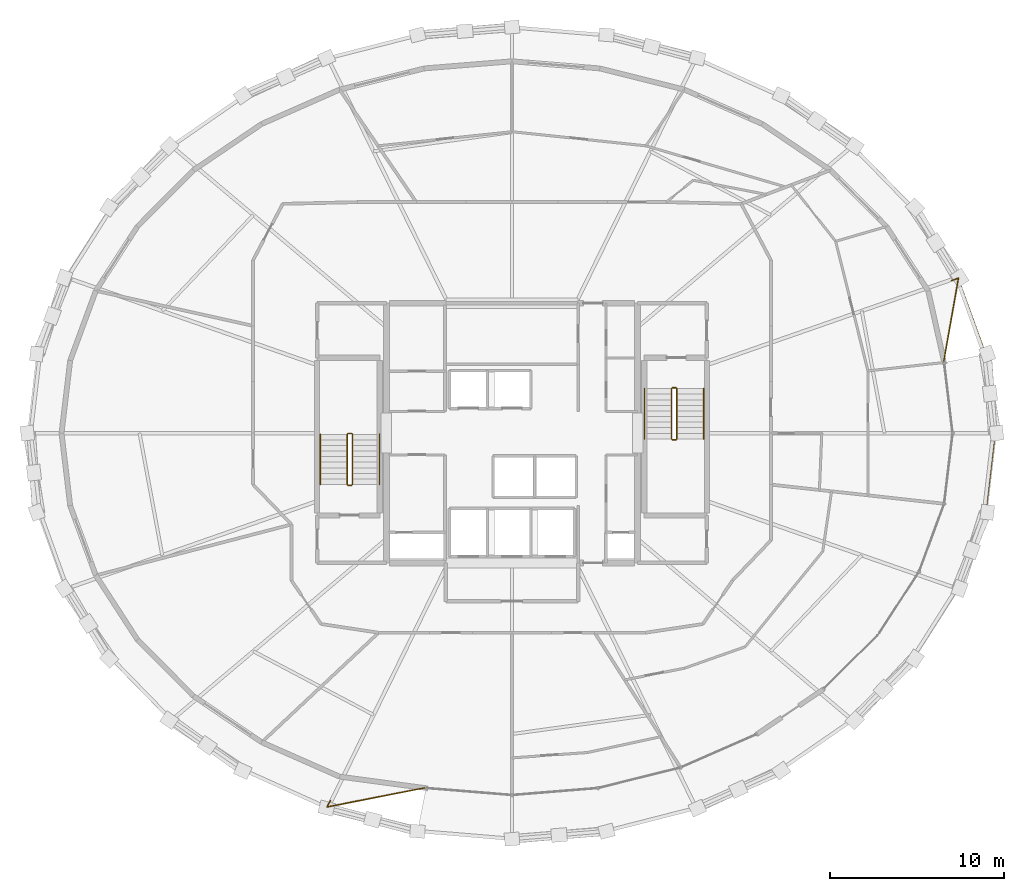
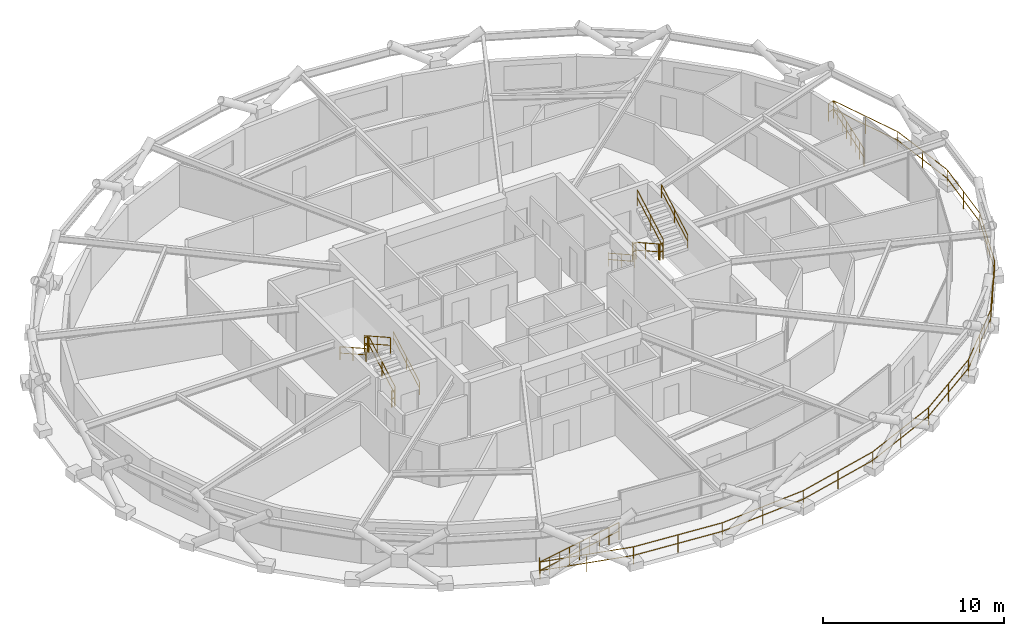
# One storey, part 17 of 17: 15 railings.
"""IFC4 building model written with IfcOpenShell, lengths in metres."""

from ifc_helpers import new_model, si_unit, direction, frame, origin, origin_2d, place, context, subcontext, project, spatial, circle, extrude, material, type_object, element, save


model = new_model("IFC4")

# Units and contexts
model_context = context("Model", 3, precision=1e-05, world=origin(), true_north=direction((0.0, 1.0)))
body_context = subcontext(model_context, "Body", "Model", "MODEL_VIEW")
ifc_project = project(units=[si_unit("LENGTHUNIT", "METRE"), si_unit("AREAUNIT", "SQUARE_METRE"), si_unit("VOLUMEUNIT", "CUBIC_METRE"), si_unit("PLANEANGLEUNIT", "RADIAN"), si_unit("MASSUNIT", "GRAM", prefix="KILO")], contexts=[model_context])

# Site, building, storey
site_placement = place(None, origin())
site = spatial("IfcSite", under=ifc_project, at=site_placement, CompositionType="ELEMENT")
building_placement = place(site_placement, origin())
building = spatial("IfcBuilding", under=site, at=building_placement, Name="Veldorina Hangang Commons", CompositionType="ELEMENT")
storey_placement = place(building_placement, frame((0.0, 0.0, 178.39990234375)))
storey = spatial("IfcBuildingStorey", under=building, at=storey_placement, Name="L46", CompositionType="ELEMENT", Elevation=178.39990234375)

# Railings
ifc_material_1 = material(Name="Glass Laminated Safety Balustrade", Category="glass")
railing_type_1 = type_object("IfcRailingType", Name="RL-BAL-LOGGIA", PredefinedType="BALUSTRADE", material=ifc_material_1)
railing_1_placement = place(storey_placement, frame((21.583251953125, 2.93310546875, 0.0)))
element("IfcRailing", 1, at=railing_1_placement, inside=storey, type_object=railing_type_1, Name="L46 sky-garden loggia end balustrade A", PredefinedType="BALUSTRADE", context=body_context, shape_type="SweptSolid", body=[
    extrude(circle(Radius=0.02392578125, at=origin_2d()), frame((0.0, 0.0, 1.17578125), z_axis=(-0.442791847383, -0.896624436367, 0.0), x_axis=(0.896624436367, -0.442791847383, 0.0)), (0.0, 0.0, 1.0), 0.420166015625),
    extrude(circle(Radius=0.02392578125, at=origin_2d()), frame((0.0, 0.0, 0.60009765625), z_axis=(-0.442791847383, -0.896624436367, 0.0), x_axis=(0.896624436367, -0.442791847383, 0.0)), (0.0, 0.0, 1.0), 0.420166015625),
    extrude(circle(Radius=0.02392578125, at=origin_2d()), frame((-0.18603515625, -0.376708984375, 1.17578125), z_axis=(0.981322961508, 0.192367474425, 0.0), x_axis=(-0.192367474425, 0.981322961508, 0.0)), (0.0, 0.0, 1.0), 5.78857421875),
    extrude(circle(Radius=0.02392578125, at=origin_2d()), frame((-0.18603515625, -0.376708984375, 0.60009765625), z_axis=(0.981322961508, 0.192367474425, 0.0), x_axis=(-0.192367474425, 0.981322961508, 0.0)), (0.0, 0.0, 1.0), 5.78857421875),
    extrude(circle(Radius=0.02099609375, at=origin_2d()), origin(), (0.0, 0.0, 1.0), 1.15185546875),
    extrude(circle(Radius=0.02099609375, at=origin_2d()), frame((-0.18603515625, -0.376708984375, 0.0)), (0.0, 0.0, 1.0), 1.15185546875),
    extrude(circle(Radius=0.02099609375, at=origin_2d()), frame((0.52392578125, -0.237548828125, 0.0)), (0.0, 0.0, 1.0), 1.15185546875),
    extrude(circle(Radius=0.02099609375, at=origin_2d()), frame((1.234130859375, -0.098388671875, 0.0)), (0.0, 0.0, 1.0), 1.15185546875),
    extrude(circle(Radius=0.02099609375, at=origin_2d()), frame((1.944091796875, 0.040771484375, 0.0)), (0.0, 0.0, 1.0), 1.15185546875),
    extrude(circle(Radius=0.02099609375, at=origin_2d()), frame((2.654296875, 0.18017578125, 0.0)), (0.0, 0.0, 1.0), 1.15185546875),
    extrude(circle(Radius=0.02099609375, at=origin_2d()), frame((3.3642578125, 0.3193359375, 0.0)), (0.0, 0.0, 1.0), 1.15185546875),
    extrude(circle(Radius=0.02099609375, at=origin_2d()), frame((4.07421875, 0.45849609375, 0.0)), (0.0, 0.0, 1.0), 1.15185546875),
    extrude(circle(Radius=0.02099609375, at=origin_2d()), frame((4.784423828125, 0.59765625, 0.0)), (0.0, 0.0, 1.0), 1.15185546875),
    extrude(circle(Radius=0.02099609375, at=origin_2d()), frame((5.494384765625, 0.73681640625, 0.0)), (0.0, 0.0, 1.0), 1.15185546875),
])
railing_2_placement = place(storey_placement, frame((57.2109375, 32.748046875, 0.0)))
element("IfcRailing", 2, at=railing_2_placement, inside=storey, type_object=railing_type_1, Name="L46 sky-garden loggia end balustrade B", PredefinedType="BALUSTRADE", context=body_context, shape_type="SweptSolid", body=[
    extrude(circle(Radius=0.02392578125, at=origin_2d()), frame((0.0, 0.0, 1.17578125), z_axis=(0.944778641961, 0.327709196842, 0.0), x_axis=(-0.327709196842, 0.944778641961, 0.0)), (0.0, 0.0, 1.0), 0.420166015625),
    extrude(circle(Radius=0.02392578125, at=origin_2d()), frame((0.0, 0.0, 0.60009765625), z_axis=(0.944778641961, 0.327709196842, 0.0), x_axis=(-0.327709196842, 0.944778641961, 0.0)), (0.0, 0.0, 1.0), 0.420166015625),
    extrude(circle(Radius=0.02392578125, at=origin_2d()), frame((0.39697265625, 0.1376953125, 1.17578125), z_axis=(-0.173646489395, -0.984808050699, 0.0), x_axis=(0.984808050699, -0.173646489395, 0.0)), (0.0, 0.0, 1.0), 4.915283203125),
    extrude(circle(Radius=0.02392578125, at=origin_2d()), frame((0.39697265625, 0.1376953125, 0.60009765625), z_axis=(-0.173646489395, -0.984808050699, 0.0), x_axis=(0.984808050699, -0.173646489395, 0.0)), (0.0, 0.0, 1.0), 4.915283203125),
    extrude(circle(Radius=0.02099609375, at=origin_2d()), origin(), (0.0, 0.0, 1.0), 1.15185546875),
    extrude(circle(Radius=0.02099609375, at=origin_2d()), frame((0.39697265625, 0.1376953125, 0.0)), (0.0, 0.0, 1.0), 1.15185546875),
    extrude(circle(Radius=0.02099609375, at=origin_2d()), frame((0.275146484375, -0.5537109375, 0.0)), (0.0, 0.0, 1.0), 1.15185546875),
    extrude(circle(Radius=0.02099609375, at=origin_2d()), frame((0.153076171875, -1.245361328125, 0.0)), (0.0, 0.0, 1.0), 1.15185546875),
    extrude(circle(Radius=0.02099609375, at=origin_2d()), frame((0.03125, -1.936767578125, 0.0)), (0.0, 0.0, 1.0), 1.15185546875),
    extrude(circle(Radius=0.02099609375, at=origin_2d()), frame((-0.0908203125, -2.62841796875, 0.0)), (0.0, 0.0, 1.0), 1.15185546875),
    extrude(circle(Radius=0.02099609375, at=origin_2d()), frame((-0.212646484375, -3.31982421875, 0.0)), (0.0, 0.0, 1.0), 1.15185546875),
    extrude(circle(Radius=0.02099609375, at=origin_2d()), frame((-0.334716796875, -4.011474609375, 0.0)), (0.0, 0.0, 1.0), 1.15185546875),
    extrude(circle(Radius=0.02099609375, at=origin_2d()), frame((-0.45654296875, -4.702880859375, 0.0)), (0.0, 0.0, 1.0), 1.15185546875),
])
railing_3_placement = place(storey_placement, frame((21.397216796875, 2.556396484375, 0.0)))
element("IfcRailing", 3, at=railing_3_placement, inside=storey, type_object=railing_type_1, Name="L46 sky-garden loggia outer balustrade", PredefinedType="BALUSTRADE", context=body_context, shape_type="SweptSolid", body=[
    extrude(circle(Radius=0.02392578125, at=origin_2d()), frame((0.0, 0.0, 1.17578125), z_axis=(0.969276783906, -0.245972592337, 0.0), x_axis=(0.245972592337, 0.969276783906, 0.0)), (0.0, 0.0, 1.0), 5.36279296875),
    extrude(circle(Radius=0.02392578125, at=origin_2d()), frame((0.0, 0.0, 0.60009765625), z_axis=(0.969276783906, -0.245972592337, 0.0), x_axis=(0.245972592337, 0.969276783906, 0.0)), (0.0, 0.0, 1.0), 5.36279296875),
    extrude(circle(Radius=0.02392578125, at=origin_2d()), frame((5.197998046875, -1.319091796875, 1.17578125), z_axis=(0.996622941337, -0.082114023173, 0.0), x_axis=(0.082114023173, 0.996622941337, 0.0)), (0.0, 0.0, 1.0), 5.423095703125),
    extrude(circle(Radius=0.02392578125, at=origin_2d()), frame((5.197998046875, -1.319091796875, 0.60009765625), z_axis=(0.996622941337, -0.082114023173, 0.0), x_axis=(0.082114023173, 0.996622941337, 0.0)), (0.0, 0.0, 1.0), 5.423095703125),
    extrude(circle(Radius=0.02392578125, at=origin_2d()), frame((10.602783203125, -1.764404296875, 1.17578125), z_axis=(0.996622941337, 0.082114023173, 0.0), x_axis=(-0.082114023173, 0.996622941337, 0.0)), (0.0, 0.0, 1.0), 5.423095703125),
    extrude(circle(Radius=0.02392578125, at=origin_2d()), frame((10.602783203125, -1.764404296875, 0.60009765625), z_axis=(0.996622941337, 0.082114023173, 0.0), x_axis=(-0.082114023173, 0.996622941337, 0.0)), (0.0, 0.0, 1.0), 5.423095703125),
    extrude(circle(Radius=0.02392578125, at=origin_2d()), frame((16.007568359375, -1.319091796875, 1.17578125), z_axis=(0.969276783906, 0.245972592337, 0.0), x_axis=(-0.245972592337, 0.969276783906, 0.0)), (0.0, 0.0, 1.0), 5.36279296875),
    extrude(circle(Radius=0.02392578125, at=origin_2d()), frame((16.007568359375, -1.319091796875, 0.60009765625), z_axis=(0.969276783906, 0.245972592337, 0.0), x_axis=(-0.245972592337, 0.969276783906, 0.0)), (0.0, 0.0, 1.0), 5.36279296875),
    extrude(circle(Radius=0.02392578125, at=origin_2d()), frame((21.20556640625, 0.0, 1.17578125), z_axis=(0.912886674733, 0.408213080504, 0.0), x_axis=(-0.408213080504, 0.912886674733, 0.0)), (0.0, 0.0, 1.0), 5.249267578125),
    extrude(circle(Radius=0.02392578125, at=origin_2d()), frame((21.20556640625, 0.0, 0.60009765625), z_axis=(0.912886674733, 0.408213080504, 0.0), x_axis=(-0.408213080504, 0.912886674733, 0.0)), (0.0, 0.0, 1.0), 5.249267578125),
    extrude(circle(Radius=0.02392578125, at=origin_2d()), frame((25.99755859375, 2.142822265625, 1.17578125), z_axis=(0.824321366155, 0.566122146979, 0.0), x_axis=(-0.566122146979, 0.824321366155, 0.0)), (0.0, 0.0, 1.0), 5.096435546875),
    extrude(circle(Radius=0.02392578125, at=origin_2d()), frame((25.99755859375, 2.142822265625, 0.60009765625), z_axis=(0.824321366155, 0.566122146979, 0.0), x_axis=(-0.566122146979, 0.824321366155, 0.0)), (0.0, 0.0, 1.0), 5.096435546875),
    extrude(circle(Radius=0.02392578125, at=origin_2d()), frame((30.19873046875, 5.028076171875, 1.17578125), z_axis=(0.700183401768, 0.713963026976, 0.0), x_axis=(-0.713963026976, 0.700183401768, 0.0)), (0.0, 0.0, 1.0), 4.925537109375),
    extrude(circle(Radius=0.02392578125, at=origin_2d()), frame((30.19873046875, 5.028076171875, 0.60009765625), z_axis=(0.700183401768, 0.713963026976, 0.0), x_axis=(-0.713963026976, 0.700183401768, 0.0)), (0.0, 0.0, 1.0), 4.925537109375),
    extrude(circle(Radius=0.02392578125, at=origin_2d()), frame((33.6474609375, 8.544677734375, 1.17578125), z_axis=(0.538278024713, 0.842767327387, 0.0), x_axis=(-0.842767327387, 0.538278024713, 0.0)), (0.0, 0.0, 1.0), 4.761962890625),
    extrude(circle(Radius=0.02392578125, at=origin_2d()), frame((33.6474609375, 8.544677734375, 0.60009765625), z_axis=(0.538278024713, 0.842767327387, 0.0), x_axis=(-0.842767327387, 0.538278024713, 0.0)), (0.0, 0.0, 1.0), 4.761962890625),
    extrude(circle(Radius=0.02392578125, at=origin_2d()), frame((36.210693359375, 12.557861328125, 1.17578125), z_axis=(0.340689283161, 0.940175947544, 0.0), x_axis=(-0.940175947544, 0.340689283161, 0.0)), (0.0, 0.0, 1.0), 4.6328125),
    extrude(circle(Radius=0.02392578125, at=origin_2d()), frame((36.210693359375, 12.557861328125, 0.60009765625), z_axis=(0.340689283161, 0.940175947544, 0.0), x_axis=(-0.940175947544, 0.340689283161, 0.0)), (0.0, 0.0, 1.0), 4.6328125),
    extrude(circle(Radius=0.02392578125, at=origin_2d()), frame((37.7890625, 16.91357421875, 1.17578125), z_axis=(0.116897146517, 0.993144026381, 0.0), x_axis=(-0.993144026381, 0.116897146517, 0.0)), (0.0, 0.0, 1.0), 4.561279296875),
    extrude(circle(Radius=0.02392578125, at=origin_2d()), frame((37.7890625, 16.91357421875, 0.60009765625), z_axis=(0.116897146517, 0.993144026381, 0.0), x_axis=(-0.993144026381, 0.116897146517, 0.0)), (0.0, 0.0, 1.0), 4.561279296875),
    extrude(circle(Radius=0.02392578125, at=origin_2d()), frame((38.322265625, 21.443603515625, 1.17578125), z_axis=(-0.116897146517, 0.993144026381, 0.0), x_axis=(-0.993144026381, -0.116897146517, 0.0)), (0.0, 0.0, 1.0), 4.561279296875),
    extrude(circle(Radius=0.02392578125, at=origin_2d()), frame((38.322265625, 21.443603515625, 0.60009765625), z_axis=(-0.116897146517, 0.993144026381, 0.0), x_axis=(-0.993144026381, -0.116897146517, 0.0)), (0.0, 0.0, 1.0), 4.561279296875),
    extrude(circle(Radius=0.02392578125, at=origin_2d()), frame((37.7890625, 25.9736328125, 1.17578125), z_axis=(-0.340689283161, 0.940175947544, 0.0), x_axis=(-0.940175947544, -0.340689283161, 0.0)), (0.0, 0.0, 1.0), 4.6328125),
    extrude(circle(Radius=0.02392578125, at=origin_2d()), frame((37.7890625, 25.9736328125, 0.60009765625), z_axis=(-0.340689283161, 0.940175947544, 0.0), x_axis=(-0.940175947544, -0.340689283161, 0.0)), (0.0, 0.0, 1.0), 4.6328125),
    extrude(circle(Radius=0.02099609375, at=origin_2d()), origin(), (0.0, 0.0, 1.0), 1.15185546875),
    extrude(circle(Radius=0.02099609375, at=origin_2d()), frame((2.59912109375, -0.65966796875, 0.0)), (0.0, 0.0, 1.0), 1.15185546875),
    extrude(circle(Radius=0.02099609375, at=origin_2d()), frame((5.197998046875, -1.319091796875, 0.0)), (0.0, 0.0, 1.0), 1.15185546875),
    extrude(circle(Radius=0.02099609375, at=origin_2d()), frame((7.900390625, -1.541748046875, 0.0)), (0.0, 0.0, 1.0), 1.15185546875),
    extrude(circle(Radius=0.02099609375, at=origin_2d()), frame((10.602783203125, -1.764404296875, 0.0)), (0.0, 0.0, 1.0), 1.15185546875),
    extrude(circle(Radius=0.02099609375, at=origin_2d()), frame((13.30517578125, -1.541748046875, 0.0)), (0.0, 0.0, 1.0), 1.15185546875),
    extrude(circle(Radius=0.02099609375, at=origin_2d()), frame((16.007568359375, -1.319091796875, 0.0)), (0.0, 0.0, 1.0), 1.15185546875),
    extrude(circle(Radius=0.02099609375, at=origin_2d()), frame((18.6064453125, -0.65966796875, 0.0)), (0.0, 0.0, 1.0), 1.15185546875),
    extrude(circle(Radius=0.02099609375, at=origin_2d()), frame((21.20556640625, 0.0, 0.0)), (0.0, 0.0, 1.0), 1.15185546875),
    extrude(circle(Radius=0.02099609375, at=origin_2d()), frame((23.6015625, 1.0712890625, 0.0)), (0.0, 0.0, 1.0), 1.15185546875),
    extrude(circle(Radius=0.02099609375, at=origin_2d()), frame((25.99755859375, 2.142822265625, 0.0)), (0.0, 0.0, 1.0), 1.15185546875),
    extrude(circle(Radius=0.02099609375, at=origin_2d()), frame((28.09814453125, 3.58544921875, 0.0)), (0.0, 0.0, 1.0), 1.15185546875),
    extrude(circle(Radius=0.02099609375, at=origin_2d()), frame((30.19873046875, 5.028076171875, 0.0)), (0.0, 0.0, 1.0), 1.15185546875),
    extrude(circle(Radius=0.02099609375, at=origin_2d()), frame((31.923095703125, 6.786376953125, 0.0)), (0.0, 0.0, 1.0), 1.15185546875),
    extrude(circle(Radius=0.02099609375, at=origin_2d()), frame((33.6474609375, 8.544677734375, 0.0)), (0.0, 0.0, 1.0), 1.15185546875),
    extrude(circle(Radius=0.02099609375, at=origin_2d()), frame((34.92919921875, 10.55126953125, 0.0)), (0.0, 0.0, 1.0), 1.15185546875),
    extrude(circle(Radius=0.02099609375, at=origin_2d()), frame((36.210693359375, 12.557861328125, 0.0)), (0.0, 0.0, 1.0), 1.15185546875),
    extrude(circle(Radius=0.02099609375, at=origin_2d()), frame((37.0, 14.73583984375, 0.0)), (0.0, 0.0, 1.0), 1.15185546875),
    extrude(circle(Radius=0.02099609375, at=origin_2d()), frame((37.7890625, 16.91357421875, 0.0)), (0.0, 0.0, 1.0), 1.15185546875),
    extrude(circle(Radius=0.02099609375, at=origin_2d()), frame((38.0556640625, 19.1787109375, 0.0)), (0.0, 0.0, 1.0), 1.15185546875),
    extrude(circle(Radius=0.02099609375, at=origin_2d()), frame((38.322265625, 21.443603515625, 0.0)), (0.0, 0.0, 1.0), 1.15185546875),
    extrude(circle(Radius=0.02099609375, at=origin_2d()), frame((38.0556640625, 23.70849609375, 0.0)), (0.0, 0.0, 1.0), 1.15185546875),
    extrude(circle(Radius=0.02099609375, at=origin_2d()), frame((37.7890625, 25.9736328125, 0.0)), (0.0, 0.0, 1.0), 1.15185546875),
    extrude(circle(Radius=0.02099609375, at=origin_2d()), frame((37.0, 28.1513671875, 0.0)), (0.0, 0.0, 1.0), 1.15185546875),
    extrude(circle(Radius=0.02099609375, at=origin_2d()), frame((36.210693359375, 30.329345703125, 0.0)), (0.0, 0.0, 1.0), 1.15185546875),
])
ifc_material_2 = material(Name="Steel Painted Balustrade", Category="steel")
railing_type_2 = type_object("IfcRailingType", Name="RL-GRD-STAIR", PredefinedType="GUARDRAIL", material=ifc_material_2)
railing_4_placement = place(storey_placement, frame((22.85009765625, 21.050048828125, 0.18017578125)))
element("IfcRailing", 4, at=railing_4_placement, inside=storey, type_object=railing_type_2, Name="L46 ST-1 stair guard 1", PredefinedType="GUARDRAIL", context=body_context, shape_type="SweptSolid", body=[
    extrude(circle(Radius=0.02392578125, at=origin_2d()), frame((0.0, 0.0, 1.076171875), z_axis=(0.0, 0.871583430097, 0.490247207417), x_axis=(-1.0, 0.0, 0.0)), (0.0, 0.0, 1.0), 3.30419921875),
    extrude(circle(Radius=0.02392578125, at=origin_2d()), frame((0.0, 0.0, 0.550048828125), z_axis=(0.0, 0.871583430097, 0.490247207417), x_axis=(-1.0, 0.0, 0.0)), (0.0, 0.0, 1.0), 3.30419921875),
    extrude(circle(Radius=0.02099609375, at=origin_2d()), origin(), (0.0, 0.0, 1.0), 1.052001953125),
    extrude(circle(Radius=0.02099609375, at=origin_2d()), frame((0.0, 1.43994140625, 0.81005859375)), (0.0, 0.0, 1.0), 1.052001953125),
    extrude(circle(Radius=0.02099609375, at=origin_2d()), frame((0.0, 2.8798828125, 1.619873046875)), (0.0, 0.0, 1.0), 1.052001953125),
])
railing_5_placement = place(storey_placement, frame((22.800048828125, 23.97998046875, 1.800048828125)))
element("IfcRailing", 5, at=railing_5_placement, inside=storey, type_object=railing_type_2, Name="L46 ST-1 stair guard 2", PredefinedType="GUARDRAIL", context=body_context, shape_type="SweptSolid", body=[
    extrude(circle(Radius=0.02392578125, at=origin_2d()), frame((0.0, 0.0, 1.076171875), z_axis=(-1.0, 0.0, 0.0), x_axis=(0.0, -1.0, 0.0)), (0.0, 0.0, 1.0), 0.199951171875),
    extrude(circle(Radius=0.02392578125, at=origin_2d()), frame((0.0, 0.0, 0.550048828125), z_axis=(-1.0, 0.0, 0.0), x_axis=(0.0, -1.0, 0.0)), (0.0, 0.0, 1.0), 0.199951171875),
    extrude(circle(Radius=0.02099609375, at=origin_2d()), origin(), (0.0, 0.0, 1.0), 1.052001953125),
    extrude(circle(Radius=0.02099609375, at=origin_2d()), frame((-0.199951171875, 0.0, 0.0)), (0.0, 0.0, 1.0), 1.052001953125),
])
railing_6_placement = place(storey_placement, frame((22.550048828125, 23.929931640625, 1.97998046875)))
element("IfcRailing", 6, at=railing_6_placement, inside=storey, type_object=railing_type_2, Name="L46 ST-1 stair guard 3", PredefinedType="GUARDRAIL", context=body_context, shape_type="SweptSolid", body=[
    extrude(circle(Radius=0.02392578125, at=origin_2d()), frame((0.0, 0.0, 1.076171875), z_axis=(0.0, -0.87155185771, 0.490303333991), x_axis=(1.0, 0.0, 0.0)), (0.0, 0.0, 1.0), 3.30419921875),
    extrude(circle(Radius=0.02392578125, at=origin_2d()), frame((0.0, 0.0, 0.550048828125), z_axis=(0.0, -0.87155185771, 0.490303333991), x_axis=(1.0, 0.0, 0.0)), (0.0, 0.0, 1.0), 3.30419921875),
    extrude(circle(Radius=0.02099609375, at=origin_2d()), origin(), (0.0, 0.0, 1.0), 1.052001953125),
    extrude(circle(Radius=0.02099609375, at=origin_2d()), frame((0.0, -1.43994140625, 0.81005859375)), (0.0, 0.0, 1.0), 1.052001953125),
    extrude(circle(Radius=0.02099609375, at=origin_2d()), frame((0.0, -2.8798828125, 1.6201171875)), (0.0, 0.0, 1.0), 1.052001953125),
])
railing_7_placement = place(storey_placement, frame((22.800048828125, 21.0, 0.0)))
element("IfcRailing", 7, at=railing_7_placement, inside=storey, type_object=railing_type_2, Name="L46 ST-1 stair guard 4", PredefinedType="GUARDRAIL", context=body_context, shape_type="SweptSolid", body=[
    extrude(circle(Radius=0.02392578125, at=origin_2d()), frame((0.0, 0.0, 1.076171875), z_axis=(-1.0, 0.0, 0.0), x_axis=(0.0, -1.0, 0.0)), (0.0, 0.0, 1.0), 0.199951171875),
    extrude(circle(Radius=0.02392578125, at=origin_2d()), frame((0.0, 0.0, 0.550048828125), z_axis=(-1.0, 0.0, 0.0), x_axis=(0.0, -1.0, 0.0)), (0.0, 0.0, 1.0), 0.199951171875),
    extrude(circle(Radius=0.02099609375, at=origin_2d()), origin(), (0.0, 0.0, 1.0), 1.052001953125),
    extrude(circle(Radius=0.02099609375, at=origin_2d()), frame((-0.199951171875, 0.0, 0.0)), (0.0, 0.0, 1.0), 1.052001953125),
])
railing_8_placement = place(storey_placement, frame((41.14990234375, 26.550048828125, 0.18017578125)))
element("IfcRailing", 8, at=railing_8_placement, inside=storey, type_object=railing_type_2, Name="L46 ST-2 stair guard 1", PredefinedType="GUARDRAIL", context=body_context, shape_type="SweptSolid", body=[
    extrude(circle(Radius=0.02392578125, at=origin_2d()), frame((0.0, 0.0, 1.076171875), z_axis=(0.0, -0.871601186807, 0.490215637405), x_axis=(1.0, 0.0, 0.0)), (0.0, 0.0, 1.0), 3.304443359375),
    extrude(circle(Radius=0.02392578125, at=origin_2d()), frame((0.0, 0.0, 0.550048828125), z_axis=(0.0, -0.871601186807, 0.490215637405), x_axis=(1.0, 0.0, 0.0)), (0.0, 0.0, 1.0), 3.304443359375),
    extrude(circle(Radius=0.02099609375, at=origin_2d()), origin(), (0.0, 0.0, 1.0), 1.052001953125),
    extrude(circle(Radius=0.02099609375, at=origin_2d()), frame((0.0, -1.43994140625, 0.81005859375)), (0.0, 0.0, 1.0), 1.052001953125),
    extrude(circle(Radius=0.02099609375, at=origin_2d()), frame((0.0, -2.880126953125, 1.619873046875)), (0.0, 0.0, 1.0), 1.052001953125),
])
railing_9_placement = place(storey_placement, frame((41.199951171875, 23.6201171875, 1.800048828125)))
element("IfcRailing", 9, at=railing_9_placement, inside=storey, type_object=railing_type_2, Name="L46 ST-2 stair guard 2", PredefinedType="GUARDRAIL", context=body_context, shape_type="SweptSolid", body=[
    extrude(circle(Radius=0.02392578125, at=origin_2d()), frame((0.0, 0.0, 1.076171875), z_axis=(1.0, 0.0, 0.0), x_axis=(0.0, 1.0, 0.0)), (0.0, 0.0, 1.0), 0.199951171875),
    extrude(circle(Radius=0.02392578125, at=origin_2d()), frame((0.0, 0.0, 0.550048828125), z_axis=(1.0, 0.0, 0.0), x_axis=(0.0, 1.0, 0.0)), (0.0, 0.0, 1.0), 0.199951171875),
    extrude(circle(Radius=0.02099609375, at=origin_2d()), origin(), (0.0, 0.0, 1.0), 1.052001953125),
    extrude(circle(Radius=0.02099609375, at=origin_2d()), frame((0.199951171875, 0.0, 0.0)), (0.0, 0.0, 1.0), 1.052001953125),
])
railing_10_placement = place(storey_placement, frame((41.449951171875, 23.669921875, 1.97998046875)))
element("IfcRailing", 10, at=railing_10_placement, inside=storey, type_object=railing_type_2, Name="L46 ST-2 stair guard 3", PredefinedType="GUARDRAIL", context=body_context, shape_type="SweptSolid", body=[
    extrude(circle(Radius=0.02392578125, at=origin_2d()), frame((0.0, 0.0, 1.076171875), z_axis=(0.0, 0.871569617843, 0.490271762652), x_axis=(-1.0, 0.0, 0.0)), (0.0, 0.0, 1.0), 3.304443359375),
    extrude(circle(Radius=0.02392578125, at=origin_2d()), frame((0.0, 0.0, 0.550048828125), z_axis=(0.0, 0.871569617843, 0.490271762652), x_axis=(-1.0, 0.0, 0.0)), (0.0, 0.0, 1.0), 3.304443359375),
    extrude(circle(Radius=0.02099609375, at=origin_2d()), origin(), (0.0, 0.0, 1.0), 1.052001953125),
    extrude(circle(Radius=0.02099609375, at=origin_2d()), frame((0.0, 1.43994140625, 0.81005859375)), (0.0, 0.0, 1.0), 1.052001953125),
    extrude(circle(Radius=0.02099609375, at=origin_2d()), frame((0.0, 2.880126953125, 1.6201171875)), (0.0, 0.0, 1.0), 1.052001953125),
])
railing_11_placement = place(storey_placement, frame((41.199951171875, 26.60009765625, 0.0)))
element("IfcRailing", 11, at=railing_11_placement, inside=storey, type_object=railing_type_2, Name="L46 ST-2 stair guard 4", PredefinedType="GUARDRAIL", context=body_context, shape_type="SweptSolid", body=[
    extrude(circle(Radius=0.02392578125, at=origin_2d()), frame((0.0, 0.0, 1.076171875), z_axis=(1.0, 0.0, 0.0), x_axis=(0.0, 1.0, 0.0)), (0.0, 0.0, 1.0), 0.199951171875),
    extrude(circle(Radius=0.02392578125, at=origin_2d()), frame((0.0, 0.0, 0.550048828125), z_axis=(1.0, 0.0, 0.0), x_axis=(0.0, 1.0, 0.0)), (0.0, 0.0, 1.0), 0.199951171875),
    extrude(circle(Radius=0.02099609375, at=origin_2d()), origin(), (0.0, 0.0, 1.0), 1.052001953125),
    extrude(circle(Radius=0.02099609375, at=origin_2d()), frame((0.199951171875, 0.0, 0.0)), (0.0, 0.0, 1.0), 1.052001953125),
])
ifc_material_3 = material(Name="Stainless Steel Brushed 316", Category="steel")
railing_type_3 = type_object("IfcRailingType", Name="RL-HND-STAIR", PredefinedType="HANDRAIL", material=ifc_material_3)
railing_12_placement = place(storey_placement, frame((24.39990234375, 21.050048828125, 0.18017578125)))
element("IfcRailing", 12, at=railing_12_placement, inside=storey, type_object=railing_type_3, Name="L46 ST-1 stair handrail 1", PredefinedType="HANDRAIL", context=body_context, shape_type="SweptSolid", body=[
    extrude(circle(Radius=0.02392578125, at=origin_2d()), frame((0.0, 0.0, 0.8759765625), z_axis=(0.0, 0.871583430097, 0.490247207417), x_axis=(-1.0, 0.0, 0.0)), (0.0, 0.0, 1.0), 3.30419921875),
    extrude(circle(Radius=0.02392578125, at=origin_2d()), frame((0.0, 0.0, 0.449951171875), z_axis=(0.0, 0.871583430097, 0.490247207417), x_axis=(-1.0, 0.0, 0.0)), (0.0, 0.0, 1.0), 3.30419921875),
    extrude(circle(Radius=0.02099609375, at=origin_2d()), origin(), (0.0, 0.0, 1.0), 0.851806640625),
    extrude(circle(Radius=0.02099609375, at=origin_2d()), frame((0.0, 1.43994140625, 0.81005859375)), (0.0, 0.0, 1.0), 0.851806640625),
    extrude(circle(Radius=0.02099609375, at=origin_2d()), frame((0.0, 2.8798828125, 1.619873046875)), (0.0, 0.0, 1.0), 0.851806640625),
])
railing_13_placement = place(storey_placement, frame((21.0, 23.929931640625, 1.97998046875)))
element("IfcRailing", 13, at=railing_13_placement, inside=storey, type_object=railing_type_3, Name="L46 ST-1 stair handrail 2", PredefinedType="HANDRAIL", context=body_context, shape_type="SweptSolid", body=[
    extrude(circle(Radius=0.02392578125, at=origin_2d()), frame((0.0, 0.0, 0.8759765625), z_axis=(0.0, -0.87155185771, 0.490303333991), x_axis=(1.0, 0.0, 0.0)), (0.0, 0.0, 1.0), 3.30419921875),
    extrude(circle(Radius=0.02392578125, at=origin_2d()), frame((0.0, 0.0, 0.449951171875), z_axis=(0.0, -0.87155185771, 0.490303333991), x_axis=(1.0, 0.0, 0.0)), (0.0, 0.0, 1.0), 3.30419921875),
    extrude(circle(Radius=0.02099609375, at=origin_2d()), origin(), (0.0, 0.0, 1.0), 0.851806640625),
    extrude(circle(Radius=0.02099609375, at=origin_2d()), frame((0.0, -1.43994140625, 0.81005859375)), (0.0, 0.0, 1.0), 0.851806640625),
    extrude(circle(Radius=0.02099609375, at=origin_2d()), frame((0.0, -2.8798828125, 1.6201171875)), (0.0, 0.0, 1.0), 0.851806640625),
])
railing_14_placement = place(storey_placement, frame((39.60009765625, 26.550048828125, 0.18017578125)))
element("IfcRailing", 14, at=railing_14_placement, inside=storey, type_object=railing_type_3, Name="L46 ST-2 stair handrail 1", PredefinedType="HANDRAIL", context=body_context, shape_type="SweptSolid", body=[
    extrude(circle(Radius=0.02392578125, at=origin_2d()), frame((0.0, 0.0, 0.8759765625), z_axis=(0.0, -0.871601186807, 0.490215637405), x_axis=(1.0, 0.0, 0.0)), (0.0, 0.0, 1.0), 3.304443359375),
    extrude(circle(Radius=0.02392578125, at=origin_2d()), frame((0.0, 0.0, 0.449951171875), z_axis=(0.0, -0.871601186807, 0.490215637405), x_axis=(1.0, 0.0, 0.0)), (0.0, 0.0, 1.0), 3.304443359375),
    extrude(circle(Radius=0.02099609375, at=origin_2d()), origin(), (0.0, 0.0, 1.0), 0.851806640625),
    extrude(circle(Radius=0.02099609375, at=origin_2d()), frame((0.0, -1.43994140625, 0.81005859375)), (0.0, 0.0, 1.0), 0.851806640625),
    extrude(circle(Radius=0.02099609375, at=origin_2d()), frame((0.0, -2.880126953125, 1.619873046875)), (0.0, 0.0, 1.0), 0.851806640625),
])
railing_15_placement = place(storey_placement, frame((43.0, 23.669921875, 1.97998046875)))
element("IfcRailing", 15, at=railing_15_placement, inside=storey, type_object=railing_type_3, Name="L46 ST-2 stair handrail 2", PredefinedType="HANDRAIL", context=body_context, shape_type="SweptSolid", body=[
    extrude(circle(Radius=0.02392578125, at=origin_2d()), frame((0.0, 0.0, 0.8759765625), z_axis=(0.0, 0.871569617843, 0.490271762652), x_axis=(-1.0, 0.0, 0.0)), (0.0, 0.0, 1.0), 3.304443359375),
    extrude(circle(Radius=0.02392578125, at=origin_2d()), frame((0.0, 0.0, 0.449951171875), z_axis=(0.0, 0.871569617843, 0.490271762652), x_axis=(-1.0, 0.0, 0.0)), (0.0, 0.0, 1.0), 3.304443359375),
    extrude(circle(Radius=0.02099609375, at=origin_2d()), origin(), (0.0, 0.0, 1.0), 0.851806640625),
    extrude(circle(Radius=0.02099609375, at=origin_2d()), frame((0.0, 1.43994140625, 0.81005859375)), (0.0, 0.0, 1.0), 0.851806640625),
    extrude(circle(Radius=0.02099609375, at=origin_2d()), frame((0.0, 2.880126953125, 1.6201171875)), (0.0, 0.0, 1.0), 0.851806640625),
])

save(model, "model.ifc")
